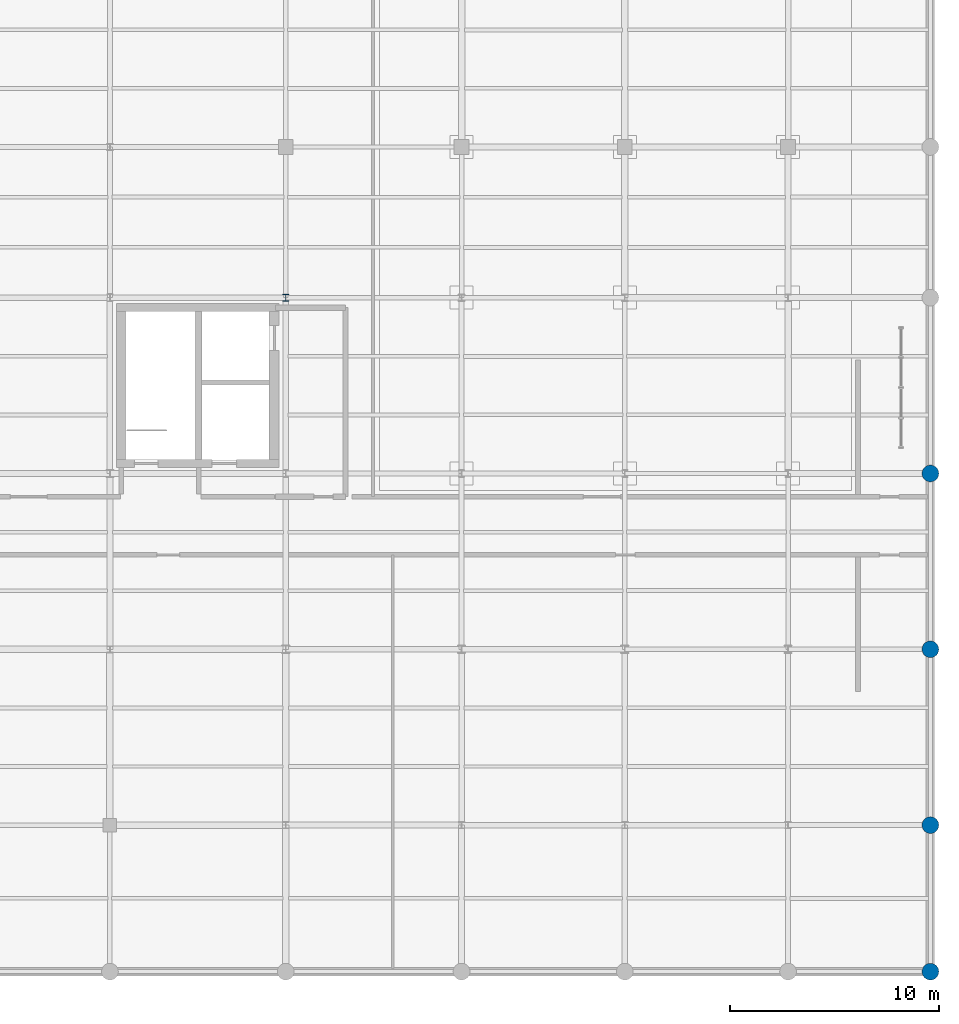
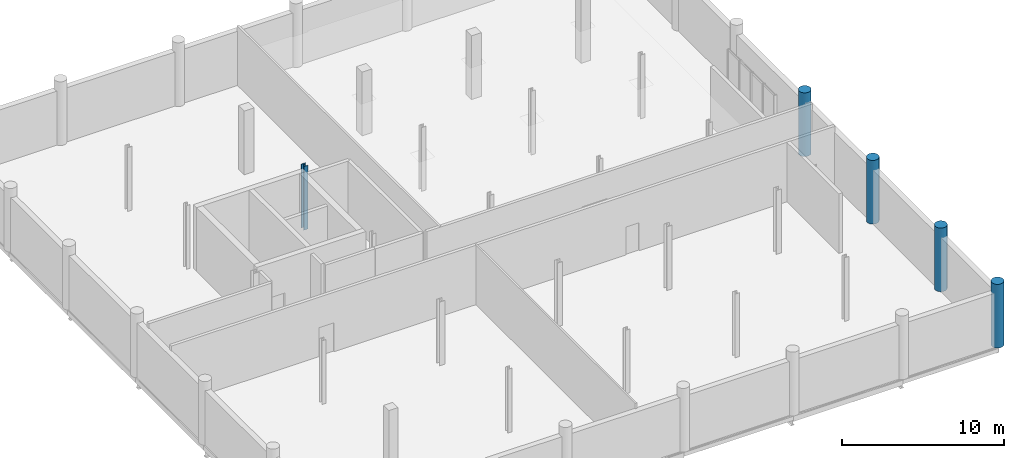
# One storey, part 8 of 94: 5 columns.
"""IFC4 building model written with IfcOpenShell, lengths in metres."""

from ifc_helpers import new_model, si_unit, direction, frame, origin_with_axes, origin_2d_with_axis, place, context, subcontext, project, spatial, circle, i_section, extrude, material, material_profile, profile_set, type_object, element, save


model = new_model("IFC4")

# Units and contexts
model_context = context("Model", 3, precision=1e-05, world=origin_with_axes(), true_north=direction((0.0, 1.0)))
body_context = subcontext(model_context, "Body", "Model", "MODEL_VIEW")
ifc_project = project(units=[si_unit("LENGTHUNIT", "METRE"), si_unit("AREAUNIT", "SQUARE_METRE"), si_unit("VOLUMEUNIT", "CUBIC_METRE"), si_unit("PLANEANGLEUNIT", "RADIAN"), si_unit("MASSUNIT", "GRAM", prefix="KILO"), si_unit("THERMODYNAMICTEMPERATUREUNIT", "KELVIN")], contexts=[model_context])

# Site, building, storey
site_placement = place(None, origin_with_axes())
site = spatial("IfcSite", under=ifc_project, at=site_placement, CompositionType="ELEMENT")
building_placement = place(site_placement, origin_with_axes())
building = spatial("IfcBuilding", under=site, at=building_placement, Name="Montbau Bow Law Courts", CompositionType="ELEMENT")
storey_placement = place(building_placement, frame((0.0, 0.0, 15.6), z_axis=(0.0, 0.0, 1.0), x_axis=(1.0, 0.0, 0.0)))
storey = spatial("IfcBuildingStorey", under=building, at=storey_placement, Name="L03", CompositionType="ELEMENT", Elevation=15.6)

# Columns
ifc_material_1 = material(Name="Concrete CSA A23.1 f'c 40 MPa", Category="concrete")
ifc_material_profile_1 = material_profile(ifc_material_1, circle(Radius=0.4, at=origin_2d_with_axis()), Name="RC800D", Category="Main", Priority=0)
ifc_profile_set_1 = profile_set([ifc_material_profile_1], Name="Concrete CSA A23.1 f'c 40 MPa")
column_type_1 = type_object("IfcColumnType", Name="C-RC-07", PredefinedType="COLUMN", material=ifc_profile_set_1)
for number, where, z_axis, x_axis, name in (
    (1, (169.4, 6.8, 15.6), (0.0, 0.0, 1.0), (1.0, 0.0, 0.0), "C-L03-S0754:col2_0754"),
    (2, (169.4, 13.8, 15.6), (0.0, 0.0, 1.0), (1.0, 0.0, 0.0), "C-L03-S0755:col2_0755"),
    (3, (169.4, 22.2, 15.6), (0.0, 0.0, 1.0), (1.0, 0.0, 0.0), "C-L03-S0756:col2_0756"),
    (4, (169.4, 30.6, 15.6), (0.0, 0.0, 1.0), (1.0, 0.0, 0.0), "C-L03-S0757:col2_0757"),
):
    element("IfcColumn", number, at=place(None, frame(where, z_axis=z_axis, x_axis=x_axis)), inside=storey, type_object=column_type_1, Name=name, PredefinedType="COLUMN", context=body_context, shape_type="SweptSolid", body=[
        extrude(circle(Radius=0.4, at=origin_2d_with_axis()), origin_with_axes(), (0.0, 0.0, 1.0), 4.8),
    ])
ifc_material_2 = material(Name="Steel CSA G40.21 Grade 350W (350 MPa)", Category="steel")
ifc_material_profile_2 = material_profile(ifc_material_2, i_section(OverallWidth=0.309, OverallDepth=0.323, WebThickness=0.014, FlangeThickness=0.0229, at=origin_2d_with_axis()), Name="W310X143", Category="Main", Priority=0)
ifc_profile_set_2 = profile_set([ifc_material_profile_2], Name="Steel CSA G40.21 Grade 350W (350 MPa)")
column_type_2 = type_object("IfcColumnType", Name="C-STL-06", PredefinedType="COLUMN", material=ifc_profile_set_2)
column_placement = place(None, frame((138.6, 39.0, 15.6), z_axis=(0.0, 0.0, 1.0), x_axis=(1.0, 0.0, 0.0)))
element("IfcColumn", 5, at=column_placement, inside=storey, type_object=column_type_2, Name="C-L03-S0710:col2_0710", PredefinedType="COLUMN", context=body_context, shape_type="SweptSolid", body=[
    extrude(i_section(OverallWidth=0.309, OverallDepth=0.323, WebThickness=0.014, FlangeThickness=0.0229, at=origin_2d_with_axis()), origin_with_axes(), (0.0, 0.0, 1.0), 4.8),
])

save(model, "model.ifc")
